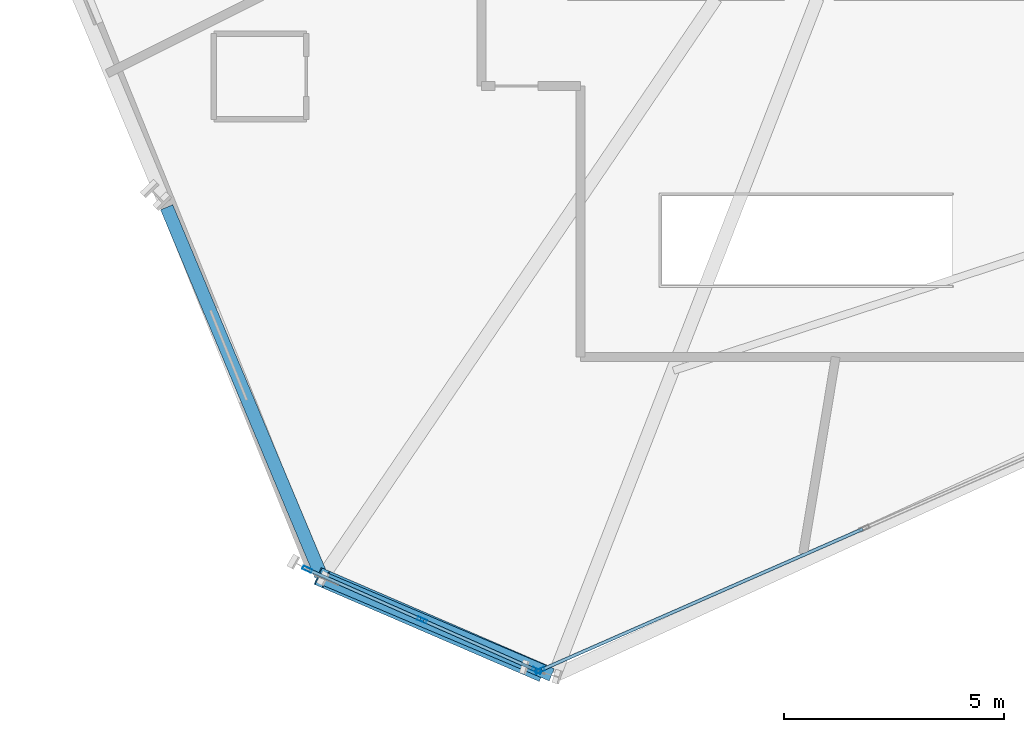
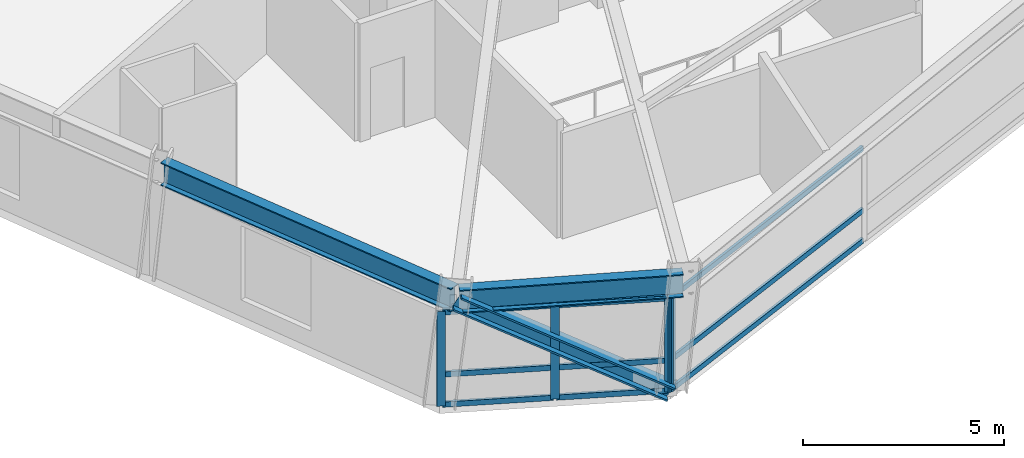
# One storey, part 2 of 17: 14 members, 2 beams, 2 elements without a shape of their own.
"""IFC4 building model written with IfcOpenShell, lengths in metres."""

from ifc_helpers import new_model, si_unit, direction, frame, origin, origin_2d, place, context, subcontext, project, spatial, hollow_rectangle, i_section, extrude, source, transform, mapped, material, material_profile, profile_set, type_object, element, aggregate, save


model = new_model("IFC4")

# Units and contexts
model_context = context("Model", 3, precision=1e-05, world=origin(), true_north=direction((0.0, 1.0)))
body_context = subcontext(model_context, "Body", "Model", "MODEL_VIEW")
ifc_project = project(units=[si_unit("LENGTHUNIT", "METRE"), si_unit("AREAUNIT", "SQUARE_METRE"), si_unit("VOLUMEUNIT", "CUBIC_METRE"), si_unit("PLANEANGLEUNIT", "RADIAN"), si_unit("MASSUNIT", "GRAM", prefix="KILO")], contexts=[model_context])

# Site, building, storey
site_placement = place(None, origin())
site = spatial("IfcSite", under=ifc_project, at=site_placement, CompositionType="ELEMENT")
building_placement = place(site_placement, origin())
building = spatial("IfcBuilding", under=site, at=building_placement, Name="Olszyna Solenne Hotel", CompositionType="ELEMENT")
storey_placement = place(building_placement, frame((0.0, 0.0, 75.89990234375)))
storey = spatial("IfcBuildingStorey", under=building, at=storey_placement, Name="L19", CompositionType="ELEMENT", Elevation=75.89990234375)

# Beams
ifc_material_1 = material(Name="Steel S355J2", Category="steel")
ifc_material_profile_1 = material_profile(ifc_material_1, i_section(OverallWidth=0.300048828125, OverallDepth=0.699951171875, WebThickness=0.01708984375, FlangeThickness=0.031982421875, at=origin_2d()), Name="HEB 700", Category="load-bearing")
ifc_profile_set_1 = profile_set([ifc_material_profile_1], Name="Steel S355J2")
beam_type = type_object("IfcBeamType", Name="BM-S1", PredefinedType="BEAM", material=ifc_profile_set_1)
shared_shape_1 = source(origin(), body_context, "Body", "SweptSolid", [
    extrude(i_section(OverallWidth=0.300048828125, OverallDepth=0.699951171875, WebThickness=0.01708984375, FlangeThickness=0.031982421875, at=origin_2d()), origin(), (0.0, 0.0, 1.0), 9.064697265625),
])
beam_1_placement = place(storey_placement, frame((20.1494140625, 13.948486328125, 3.22998046875), z_axis=(0.386710420783, -0.922201198469, 0.0), x_axis=(0.922201198469, 0.386710420783, 0.0)))
element("IfcBeam", 1, at=beam_1_placement, inside=storey, type_object=beam_type, Name="Perimeter spandrel beam BM-S1 B-L19-0583", PredefinedType="BEAM", context=body_context, shape_type="MappedRepresentation", body=[
    mapped(shared_shape_1, transform((0.0, 0.0, 0.0), x_axis=(1.0, 0.0, 0.0), y_axis=(0.0, 1.0, 0.0), z_axis=(0.0, 0.0, 1.0), scale=1.0)),
])
shared_shape_2 = source(origin(), body_context, "Body", "SweptSolid", [
    extrude(i_section(OverallWidth=0.300048828125, OverallDepth=0.699951171875, WebThickness=0.01708984375, FlangeThickness=0.031982421875, at=origin_2d()), origin(), (0.0, 0.0, 1.0), 5.60302734375),
])
beam_2_placement = place(storey_placement, frame((23.7333984375, 5.510498046875, 3.22998046875), z_axis=(0.921174597468, -0.389149535499, 0.0), x_axis=(0.389149535499, 0.921174597468, 0.0)))
element("IfcBeam", 2, at=beam_2_placement, inside=storey, type_object=beam_type, Name="Perimeter spandrel beam BM-S1 B-L19-0584", PredefinedType="BEAM", context=body_context, shape_type="MappedRepresentation", body=[
    mapped(shared_shape_2, transform((0.0, 0.0, 0.0), x_axis=(1.0, 0.0, 0.0), y_axis=(0.0, 1.0, 0.0), z_axis=(0.0, 0.0, 1.0), scale=1.0)),
])

# Member
ifc_material_2 = material(Name="Steel S460M", Category="steel")
ifc_material_profile_2 = material_profile(ifc_material_2, i_section(OverallWidth=0.412109375, OverallDepth=0.43505859375, WebThickness=0.031494140625, FlangeThickness=0.050048828125, at=origin_2d()), Name="HD 400x463", Category="load-bearing")
ifc_profile_set_2 = profile_set([ifc_material_profile_2], Name="Steel S460M")
member_type_1 = type_object("IfcMemberType", Name="BR-T1", PredefinedType="BRACE", material=ifc_profile_set_2)
shared_shape_3 = source(origin(), body_context, "Body", "SweptSolid", [
    extrude(i_section(OverallWidth=0.412109375, OverallDepth=0.43505859375, WebThickness=0.031494140625, FlangeThickness=0.050048828125, at=origin_2d()), origin(), (0.0, 0.0, 1.0), 6.226806640625),
])
member_1_placement = place(storey_placement, frame((28.59033203125, 3.4130859375, 0.010009765625), z_axis=(-0.788907575843, 0.340562159126, 0.511509777568), x_axis=(-0.396335498509, -0.918105752417, 0.0)))
element("IfcMember", 3, at=member_1_placement, inside=storey, type_object=member_type_1, Name="Perimeter braced-tube diagonal BR-T1 BR-L19-3", PredefinedType="BRACE", context=body_context, shape_type="MappedRepresentation", body=[
    mapped(shared_shape_3, transform((0.0, 0.0, 0.0), x_axis=(1.0, 0.0, 0.0), y_axis=(0.0, 1.0, 0.0), z_axis=(0.0, 0.0, 1.0), scale=1.0)),
])

# Curtain wall, member
ifc_material_3 = material(Name="Anodised bronze aluminium", Category="aluminium")
curtain_wall_type = type_object("IfcCurtainWallType", Name="CW-SYS-6", PredefinedType="NOTDEFINED", material=ifc_material_3)
curtain_wall_1_placement = place(storey_placement, origin())
curtain_wall_1 = element("IfcCurtainWall", 4, at=curtain_wall_1_placement, inside=storey, type_object=curtain_wall_type, Name="Unitised curtain wall CW-SYS-6 CW-L19-01", PredefinedType="NOTDEFINED")
ifc_material_profile_3 = material_profile(ifc_material_3, hollow_rectangle(XDim=0.080078125, YDim=0.219970703125, WallThickness=0.0048828125, at=origin_2d()), Name="MULL 220x80x5", Category="load-bearing")
ifc_profile_set_3 = profile_set([ifc_material_profile_3], Name="Anodised bronze aluminium")
member_type_2 = type_object("IfcMemberType", Name="CW-M1", PredefinedType="MULLION", material=ifc_profile_set_3)
shared_shape_4 = source(origin(), body_context, "Body", "SweptSolid", [
    extrude(hollow_rectangle(XDim=0.080078125, YDim=0.219970703125, WallThickness=0.0048828125, at=origin_2d()), origin(), (0.0, 0.0, 1.0), 2.8720703125),
])
member_2_placement = place(storey_placement, frame((28.626953125, 3.42919921875, 0.0), z_axis=(0.0, 0.0, 1.0), x_axis=(-0.401449312443, 0.91588124205, 0.0)))
member_2 = element("IfcMember", 5, at=member_2_placement, type_object=member_type_2, Name="Curtain-wall mullion CW-M1 CM-L19-01-01", PredefinedType="MULLION", context=body_context, shape_type="MappedRepresentation", body=[
    mapped(shared_shape_4, transform((0.0, 0.0, 0.0), x_axis=(1.0, 0.0, 0.0), y_axis=(0.0, 1.0, 0.0), z_axis=(0.0, 0.0, 1.0), scale=1.0)),
])

# Curtain wall, members
curtain_wall_2_placement = place(storey_placement, origin())
curtain_wall_2 = element("IfcCurtainWall", 6, at=curtain_wall_2_placement, inside=storey, type_object=curtain_wall_type, Name="Unitised curtain wall CW-SYS-6 CW-L19-02", PredefinedType="NOTDEFINED")
member_3_placement = place(storey_placement, frame((23.34375, 5.72705078125, 0.0), z_axis=(0.0, 0.0, 1.0), x_axis=(0.40352721141, 0.914967644046, 0.0)))
member_3 = element("IfcMember", 7, at=member_3_placement, type_object=member_type_2, Name="Curtain-wall mullion CW-M1 CM-L19-02-01", PredefinedType="MULLION", context=body_context, shape_type="MappedRepresentation", body=[
    mapped(shared_shape_4, transform((0.0, 0.0, 0.0), x_axis=(1.0, 0.0, 0.0), y_axis=(0.0, 1.0, 0.0), z_axis=(0.0, 0.0, 1.0), scale=1.0)),
])
member_4_placement = place(storey_placement, frame((25.94873046875, 4.578125, 0.0), z_axis=(0.0, 0.0, 1.0), x_axis=(0.40352721141, 0.914967644046, 0.0)))
member_4 = element("IfcMember", 8, at=member_4_placement, type_object=member_type_2, Name="Curtain-wall mullion CW-M1 CM-L19-02-02", PredefinedType="MULLION", context=body_context, shape_type="MappedRepresentation", body=[
    mapped(shared_shape_4, transform((0.0, 0.0, 0.0), x_axis=(1.0, 0.0, 0.0), y_axis=(0.0, 1.0, 0.0), z_axis=(0.0, 0.0, 1.0), scale=1.0)),
])
member_5_placement = place(storey_placement, frame((28.5537109375, 3.429443359375, 0.0), z_axis=(0.0, 0.0, 1.0), x_axis=(0.40352721141, 0.914967644046, 0.0)))
member_5 = element("IfcMember", 9, at=member_5_placement, type_object=member_type_2, Name="Curtain-wall mullion CW-M1 CM-L19-02-03", PredefinedType="MULLION", context=body_context, shape_type="MappedRepresentation", body=[
    mapped(shared_shape_4, transform((0.0, 0.0, 0.0), x_axis=(1.0, 0.0, 0.0), y_axis=(0.0, 1.0, 0.0), z_axis=(0.0, 0.0, 1.0), scale=1.0)),
])

# Member
ifc_material_profile_4 = material_profile(ifc_material_3, hollow_rectangle(XDim=0.074951171875, YDim=0.159912109375, WallThickness=0.00390625, at=origin_2d()), Name="TRAN 160x75x4", Category="load-bearing")
ifc_profile_set_4 = profile_set([ifc_material_profile_4], Name="Anodised bronze aluminium")
member_type_3 = type_object("IfcMemberType", Name="CW-T1", PredefinedType="USERDEFINED", material=ifc_profile_set_4)
shared_shape_5 = source(origin(), body_context, "Body", "SweptSolid", [
    extrude(hollow_rectangle(XDim=0.074951171875, YDim=0.159912109375, WallThickness=0.00390625, at=origin_2d()), origin(), (0.0, 0.0, 1.0), 7.963623046875),
])
member_6_placement = place(storey_placement, frame((28.66357421875, 3.4453125, 0.03759765625), z_axis=(0.915879190968, 0.401453991824, 0.0), x_axis=(-0.401453991824, 0.915879190968, 0.0)))
member_6 = element("IfcMember", 10, at=member_6_placement, type_object=member_type_3, Name="Curtain-wall transom CW-T1 CT-L19-01-01", ObjectType="TRANSOM", PredefinedType="USERDEFINED", context=body_context, shape_type="MappedRepresentation", body=[
    mapped(shared_shape_5, transform((0.0, 0.0, 0.0), x_axis=(1.0, 0.0, 0.0), y_axis=(0.0, 1.0, 0.0), z_axis=(0.0, 0.0, 1.0), scale=1.0)),
])

member_7_placement = place(storey_placement, frame((28.66357421875, 3.4453125, 0.9501953125), z_axis=(0.915879190968, 0.401453991824, 0.0), x_axis=(-0.401453991824, 0.915879190968, 0.0)))
member_7 = element("IfcMember", 11, at=member_7_placement, type_object=member_type_3, Name="Curtain-wall transom CW-T1 CT-L19-01-02", ObjectType="TRANSOM", PredefinedType="USERDEFINED", context=body_context, shape_type="MappedRepresentation", body=[
    mapped(shared_shape_5, transform((0.0, 0.0, 0.0), x_axis=(1.0, 0.0, 0.0), y_axis=(0.0, 1.0, 0.0), z_axis=(0.0, 0.0, 1.0), scale=1.0)),
])

member_8_placement = place(storey_placement, frame((28.66357421875, 3.4453125, 2.834716796875), z_axis=(0.915879190968, 0.401453991824, 0.0), x_axis=(-0.401453991824, 0.915879190968, 0.0)))
member_8 = element("IfcMember", 12, at=member_8_placement, type_object=member_type_3, Name="Curtain-wall transom CW-T1 CT-L19-01-03", ObjectType="TRANSOM", PredefinedType="USERDEFINED", context=body_context, shape_type="MappedRepresentation", body=[
    mapped(shared_shape_5, transform((0.0, 0.0, 0.0), x_axis=(1.0, 0.0, 0.0), y_axis=(0.0, 1.0, 0.0), z_axis=(0.0, 0.0, 1.0), scale=1.0)),
])

aggregate(curtain_wall_1, [member_2, member_6, member_7, member_8])

shared_shape_6 = source(origin(), body_context, "Body", "SweptSolid", [
    extrude(hollow_rectangle(XDim=0.074951171875, YDim=0.159912109375, WallThickness=0.00390625, at=origin_2d()), origin(), (0.0, 0.0, 1.0), 2.76708984375),
])
member_9_placement = place(storey_placement, frame((23.38037109375, 5.7109375, 0.03759765625), z_axis=(0.914950381908, -0.403566349744, 0.0), x_axis=(0.403566349744, 0.914950381908, 0.0)))
member_9 = element("IfcMember", 13, at=member_9_placement, type_object=member_type_3, Name="Curtain-wall transom CW-T1 CT-L19-02-01", ObjectType="TRANSOM", PredefinedType="USERDEFINED", context=body_context, shape_type="MappedRepresentation", body=[
    mapped(shared_shape_6, transform((0.0, 0.0, 0.0), x_axis=(1.0, 0.0, 0.0), y_axis=(0.0, 1.0, 0.0), z_axis=(0.0, 0.0, 1.0), scale=1.0)),
])

member_10_placement = place(storey_placement, frame((23.38037109375, 5.7109375, 0.9501953125), z_axis=(0.914950381908, -0.403566349744, 0.0), x_axis=(0.403566349744, 0.914950381908, 0.0)))
member_10 = element("IfcMember", 14, at=member_10_placement, type_object=member_type_3, Name="Curtain-wall transom CW-T1 CT-L19-02-02", ObjectType="TRANSOM", PredefinedType="USERDEFINED", context=body_context, shape_type="MappedRepresentation", body=[
    mapped(shared_shape_6, transform((0.0, 0.0, 0.0), x_axis=(1.0, 0.0, 0.0), y_axis=(0.0, 1.0, 0.0), z_axis=(0.0, 0.0, 1.0), scale=1.0)),
])

member_11_placement = place(storey_placement, frame((23.38037109375, 5.7109375, 2.834716796875), z_axis=(0.914950381908, -0.403566349744, 0.0), x_axis=(0.403566349744, 0.914950381908, 0.0)))
member_11 = element("IfcMember", 15, at=member_11_placement, type_object=member_type_3, Name="Curtain-wall transom CW-T1 CT-L19-02-03", ObjectType="TRANSOM", PredefinedType="USERDEFINED", context=body_context, shape_type="MappedRepresentation", body=[
    mapped(shared_shape_6, transform((0.0, 0.0, 0.0), x_axis=(1.0, 0.0, 0.0), y_axis=(0.0, 1.0, 0.0), z_axis=(0.0, 0.0, 1.0), scale=1.0)),
])

member_12_placement = place(storey_placement, frame((25.9853515625, 4.56201171875, 0.03759765625), z_axis=(0.914982958601, -0.403492485022, 0.0), x_axis=(0.403492485022, 0.914982958601, 0.0)))
member_12 = element("IfcMember", 16, at=member_12_placement, type_object=member_type_3, Name="Curtain-wall transom CW-T1 CT-L19-02-04", ObjectType="TRANSOM", PredefinedType="USERDEFINED", context=body_context, shape_type="MappedRepresentation", body=[
    mapped(shared_shape_6, transform((0.0, 0.0, 0.0), x_axis=(1.0, 0.0, 0.0), y_axis=(0.0, 1.0, 0.0), z_axis=(0.0, 0.0, 1.0), scale=1.0)),
])

member_13_placement = place(storey_placement, frame((25.9853515625, 4.56201171875, 0.9501953125), z_axis=(0.914982958601, -0.403492485022, 0.0), x_axis=(0.403492485022, 0.914982958601, 0.0)))
member_13 = element("IfcMember", 17, at=member_13_placement, type_object=member_type_3, Name="Curtain-wall transom CW-T1 CT-L19-02-05", ObjectType="TRANSOM", PredefinedType="USERDEFINED", context=body_context, shape_type="MappedRepresentation", body=[
    mapped(shared_shape_6, transform((0.0, 0.0, 0.0), x_axis=(1.0, 0.0, 0.0), y_axis=(0.0, 1.0, 0.0), z_axis=(0.0, 0.0, 1.0), scale=1.0)),
])

member_14_placement = place(storey_placement, frame((25.9853515625, 4.56201171875, 2.834716796875), z_axis=(0.914982958601, -0.403492485022, 0.0), x_axis=(0.403492485022, 0.914982958601, 0.0)))
member_14 = element("IfcMember", 18, at=member_14_placement, type_object=member_type_3, Name="Curtain-wall transom CW-T1 CT-L19-02-06", ObjectType="TRANSOM", PredefinedType="USERDEFINED", context=body_context, shape_type="MappedRepresentation", body=[
    mapped(shared_shape_6, transform((0.0, 0.0, 0.0), x_axis=(1.0, 0.0, 0.0), y_axis=(0.0, 1.0, 0.0), z_axis=(0.0, 0.0, 1.0), scale=1.0)),
])

aggregate(curtain_wall_2, [member_3, member_4, member_5, member_9, member_10, member_11, member_12, member_13, member_14])

save(model, "model.ifc")
